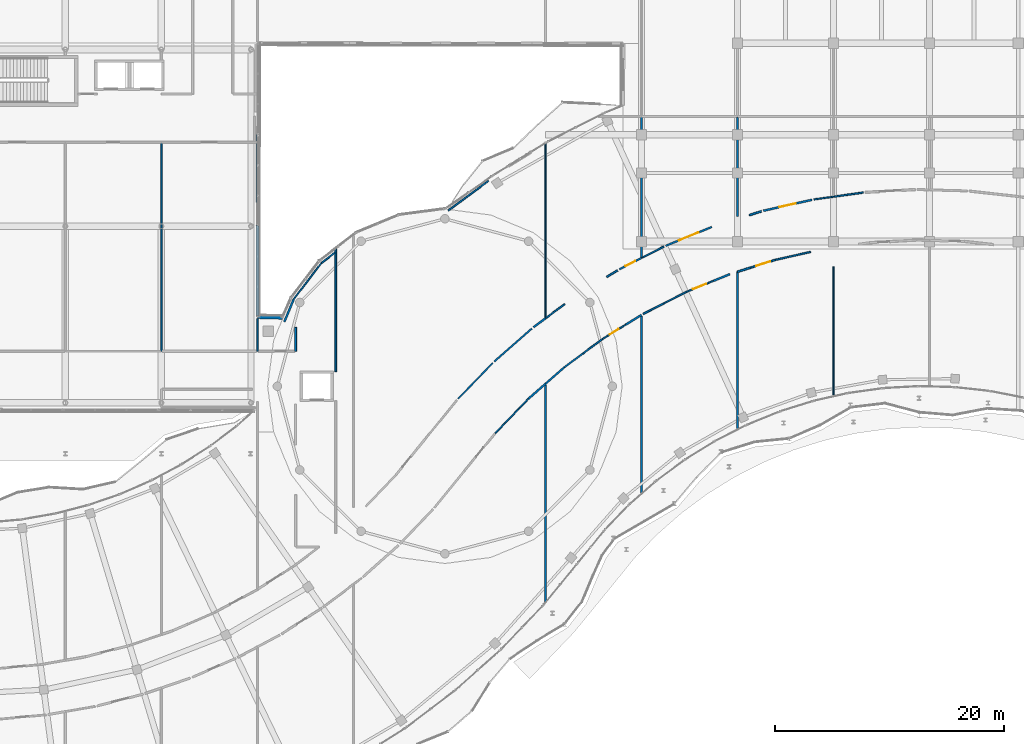
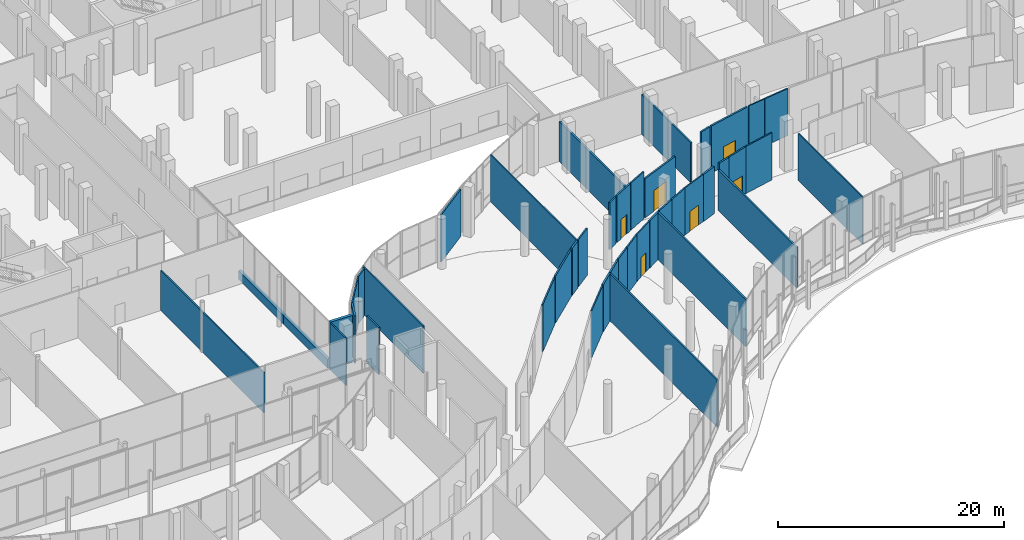
# One storey, part 136 of 158: 44 walls, 6 doors, 6 openings.
"""IFC4 building model written with IfcOpenShell, lengths in metres."""

from ifc_helpers import new_model, si_unit, direction, frame, frame_2d, origin, place, context, subcontext, project, spatial, rectangle, extrude, material, layer, layer_set, type_object, element, fill, save


model = new_model("IFC4")

# Units and contexts
model_context = context("Model", 3, precision=1e-05, world=origin(), true_north=direction((0.0, 1.0)))
body_context = subcontext(model_context, "Body", "Model", "MODEL_VIEW")
ifc_project = project(units=[si_unit("LENGTHUNIT", "METRE"), si_unit("AREAUNIT", "SQUARE_METRE"), si_unit("VOLUMEUNIT", "CUBIC_METRE"), si_unit("PLANEANGLEUNIT", "RADIAN"), si_unit("MASSUNIT", "GRAM", prefix="KILO")], contexts=[model_context])

# Site, building, storey
site_placement = place(None, origin())
site = spatial("IfcSite", under=ifc_project, at=site_placement, CompositionType="ELEMENT")
building_placement = place(site_placement, origin())
building = spatial("IfcBuilding", under=site, at=building_placement, Name="Selatvlak General Hospital", CompositionType="ELEMENT")
storey_placement = place(building_placement, origin())
storey = spatial("IfcBuildingStorey", under=building, at=storey_placement, Name="L00", CompositionType="ELEMENT", Elevation=0.0)

# Walls
ifc_material_1 = material(Name="Precast concrete C40/50 - white fair-faced", Category="concrete")
ifc_layer_1 = layer(ifc_material_1, 0.300048828125, Name="Precast concrete C40/50 - white fair-faced", Category="concrete")
ifc_layer_set_1 = layer_set([ifc_layer_1], Name="Precast concrete C40/50 - white fair-faced")
wall_type_1 = type_object("IfcWallType", Name="WALL-EW-01", PredefinedType="SOLIDWALL", material=ifc_layer_set_1)
wall_1_placement = place(storey_placement, frame((81.60009765625, 60.06005859375, 0.0), z_axis=(0.0, 0.0, 1.0), x_axis=(0.999631579517, -0.027142314411, 0.0)))
element("IfcWall", 1, at=wall_1_placement, inside=storey, type_object=wall_type_1, Name="L00 exterior wall 0188", PredefinedType="SOLIDWALL", context=body_context, shape_type="SweptSolid", body=[
    extrude(rectangle(XDim=2.212646484375, YDim=0.300048828125, at=frame_2d((1.1064453125, 0.0))), origin(), (0.0, 0.0, 1.0), 5.080078125),
])
ifc_material_2 = material(Name="Precast concrete C40/50 - white Bauhaus spandrel", Category="concrete")
ifc_layer_2 = layer(ifc_material_2, 0.280029296875, Name="Precast concrete C40/50 - white Bauhaus spandrel", Category="concrete")
ifc_layer_set_2 = layer_set([ifc_layer_2], Name="Precast concrete C40/50 - white Bauhaus spandrel")
wall_type_2 = type_object("IfcWallType", Name="WALL-EW-02", PredefinedType="SOLIDWALL", material=ifc_layer_set_2)
wall_2_placement = place(storey_placement, frame((81.639892578125, 76.01806640625, 0.0), z_axis=(0.0, 0.0, 1.0), x_axis=(-0.002479331223, -0.999996926454, 0.0)))
element("IfcWall", 2, at=wall_2_placement, inside=storey, type_object=wall_type_2, Name="L00 Bauhaus spandrel sill wall 0196", PredefinedType="SOLIDWALL", context=body_context, shape_type="SweptSolid", body=[
    extrude(rectangle(XDim=7.97607421875, YDim=0.280029296875, at=frame_2d((3.988037109375, 0.0))), origin(), (0.0, 0.0, 1.0), 0.93994140625),
])
wall_3_placement = place(storey_placement, frame((81.6201171875, 68.0380859375, 0.0), z_axis=(0.0, 0.0, 1.0), x_axis=(-0.002554110965, -0.999996738253, 0.0)))
element("IfcWall", 3, at=wall_3_placement, inside=storey, type_object=wall_type_2, Name="L00 Bauhaus spandrel sill wall 0197", PredefinedType="SOLIDWALL", context=body_context, shape_type="SweptSolid", body=[
    extrude(rectangle(XDim=7.838134765625, YDim=0.280029296875, at=frame_2d((3.9189453125, 0.0))), origin(), (0.0, 0.0, 1.0), 0.93994140625),
])
ifc_material_3 = material(Name="Acoustic gypsum stud partition")
ifc_layer_3 = layer(ifc_material_3, 0.179931640625, Name="Acoustic gypsum stud partition")
ifc_layer_set_3 = layer_set([ifc_layer_3], Name="Acoustic gypsum stud partition")
wall_type_3 = type_object("IfcWallType", Name="WALL-PT-01", PredefinedType="PARTITIONING", material=ifc_layer_set_3)
wall_4_placement = place(storey_placement, frame((84.782958984375, 61.62109375, 0.0), z_axis=(0.0, 0.0, 1.0), x_axis=(-0.382589305367, -0.923918515573, 0.0)))
element("IfcWall", 4, at=wall_4_placement, inside=storey, type_object=wall_type_3, Name="L00 clinical partition PT-L00-0510", PredefinedType="PARTITIONING", context=body_context, shape_type="SweptSolid", body=[
    extrude(rectangle(XDim=2.148681640625, YDim=0.179931640625, at=frame_2d((1.07421875, 0.0))), origin(), (0.0, 0.0, 1.0), 5.080078125),
])
wall_5_placement = place(storey_placement, frame((105.31005859375, 52.906982421875, 0.0), z_axis=(0.0, 0.0, 1.0), x_axis=(0.752034473467, 0.659123774959, 0.0)))
element("IfcWall", 5, at=wall_5_placement, inside=storey, type_object=wall_type_3, Name="L00 clinical partition PT-L00-0520", PredefinedType="PARTITIONING", context=body_context, shape_type="SweptSolid", body=[
    extrude(rectangle(XDim=1.981201171875, YDim=0.179931640625, at=frame_2d((0.99072265625, 0.0))), origin(), (0.0, 0.0, 1.0), 5.080078125),
])
wall_6_placement = place(storey_placement, frame((106.800048828125, 59.93701171875, 0.0), z_axis=(0.0, 0.0, 1.0), x_axis=(-0.803804504583, -0.594893535359, 0.0)))
element("IfcWall", 6, at=wall_6_placement, inside=storey, type_object=wall_type_3, Name="L00 clinical partition PT-L00-0530", PredefinedType="PARTITIONING", context=body_context, shape_type="SweptSolid", body=[
    extrude(rectangle(XDim=1.311279296875, YDim=0.179931640625, at=frame_2d((0.65576171875, 0.0))), origin(), (0.0, 0.0, 1.0), 5.080078125),
])
wall_7_placement = place(storey_placement, frame((113.799072265625, 59.373046875, 0.0), z_axis=(0.0, 0.0, 1.0), x_axis=(0.850603007896, 0.525808447021, 0.0)))
element("IfcWall", 7, at=wall_7_placement, inside=storey, type_object=wall_type_3, Name="L00 clinical partition PT-L00-0535", PredefinedType="PARTITIONING", context=body_context, shape_type="SweptSolid", body=[
    extrude(rectangle(XDim=1.64697265625, YDim=0.179931640625, at=frame_2d((0.823486328125, 0.0))), origin(), (0.0, 0.0, 1.0), 5.080078125),
])
wall_8_placement = place(storey_placement, frame((115.199951171875, 77.5439453125, 0.0), z_axis=(0.0, 0.0, 1.0), x_axis=(0.0, -1.0, 0.0)))
element("IfcWall", 8, at=wall_8_placement, inside=storey, type_object=wall_type_3, Name="L00 clinical partition PT-L00-0540", PredefinedType="PARTITIONING", context=body_context, shape_type="SweptSolid", body=[
    extrude(rectangle(XDim=12.328857421875, YDim=0.179931640625, at=frame_2d((6.16455078125, 0.0))), origin(), (0.0, 0.0, 1.0), 4.330078125),
])
wall_9_placement = place(storey_placement, frame((121.509033203125, 63.221923828125, 0.0), z_axis=(0.0, 0.0, 1.0), x_axis=(0.925811472845, 0.37798560389, 0.0)))
element("IfcWall", 9, at=wall_9_placement, inside=storey, type_object=wall_type_3, Name="L00 clinical partition PT-L00-0545", PredefinedType="PARTITIONING", context=body_context, shape_type="SweptSolid", body=[
    extrude(rectangle(XDim=1.54248046875, YDim=0.179931640625, at=frame_2d((0.771240234375, 0.0))), origin(), (0.0, 0.0, 1.0), 5.080078125),
])

# Wall, opening, door
wall_10_placement = place(storey_placement, frame((130.10791015625, 70.305908203125, 0.0), z_axis=(0.0, 0.0, 1.0), x_axis=(-0.975583344842, -0.219629545521, 0.0)))
wall_10 = element("IfcWall", 10, at=wall_10_placement, inside=storey, type_object=wall_type_3, Name="L00 clinical partition PT-L00-0555", PredefinedType="PARTITIONING", context=body_context, shape_type="SweptSolid", body=[
    extrude(rectangle(XDim=4.3564453125, YDim=0.179931640625, at=frame_2d((2.17822265625, 0.0))), origin(), (0.0, 0.0, 1.0), 5.080078125),
])
opening_1_placement = place(wall_10_placement, frame((1.452880859375, 0.0, 0.0)))
opening_1 = element("IfcOpeningElement", 11, at=opening_1_placement, cuts=wall_10, Name="Opening D-12", PredefinedType="OPENING", context=body_context, shape_type="SweptSolid", body=[
    extrude(rectangle(XDim=1.449951171875, YDim=2.14990234375, at=frame_2d((0.72509765625, 1.074951171875))), frame((0.0, 0.099853515625, 0.0), z_axis=(0.0, -1.0, 0.0), x_axis=(1.0, 0.0, 0.0)), (0.0, 0.0, 1.0), 0.199951171875),
])
ifc_material_4 = material(Name="Isolation anteroom door")
door_type_1 = type_object("IfcDoorType", Name="DOOR-D-12", OperationType="NOTDEFINED", PredefinedType="DOOR", material=ifc_material_4)
door_1_placement = place(opening_1_placement, origin())
door_1 = element("IfcDoor", 12, at=door_1_placement, inside=storey, type_object=door_type_1, Name="L00 Nuclear Medicine Fluoroscopy Room 31 door", OperationType="SINGLE_SWING_RIGHT", OverallHeight=2.14990234375, OverallWidth=1.449951171875, PredefinedType="DOOR", context=body_context, shape_type="SweptSolid", body=[
    extrude(rectangle(XDim=1.449951171875, YDim=2.14990234375, at=frame_2d((0.72509765625, 1.074951171875))), frame((0.0, 0.02490234375, 0.0), z_axis=(0.0, -1.0, 0.0), x_axis=(1.0, 0.0, 0.0)), (0.0, 0.0, 1.0), 0.050048828125),
])
fill(opening_1, door_1)

# Walls
ifc_layer_4 = layer(ifc_material_3, 0.1650390625, Name="Acoustic gypsum stud partition")
ifc_layer_set_4 = layer_set([ifc_layer_4], Name="Acoustic gypsum stud partition")
wall_type_4 = type_object("IfcWallType", Name="WALL-PT-02", PredefinedType="PARTITIONING", material=ifc_layer_set_4)
wall_11_placement = place(storey_placement, frame((84.93994140625, 59.14892578125, 0.0), z_axis=(0.0, 0.0, 1.0), x_axis=(0.0, -1.0, 0.0)))
element("IfcWall", 13, at=wall_11_placement, inside=storey, type_object=wall_type_4, Name="L00 clinical partition PT-L00-0511", PredefinedType="PARTITIONING", context=body_context, shape_type="SweptSolid", body=[
    extrude(rectangle(XDim=2.0888671875, YDim=0.1650390625, at=frame_2d((1.04443359375, 0.0))), origin(), (0.0, 0.0, 1.0), 5.080078125),
])
wall_12_placement = place(storey_placement, frame((106.800048828125, 54.09912109375, 0.0), z_axis=(0.0, 0.0, 1.0), x_axis=(0.0, -1.0, 0.0)))
element("IfcWall", 14, at=wall_12_placement, inside=storey, type_object=wall_type_4, Name="L00 clinical partition PT-L00-0521", PredefinedType="PARTITIONING", context=body_context, shape_type="SweptSolid", body=[
    extrude(rectangle(XDim=19.01318359375, YDim=0.1650390625, at=frame_2d((9.506591796875, 0.0))), origin(), (0.0, 0.0, 1.0), 5.080078125),
])
wall_13_placement = place(storey_placement, frame((106.800048828125, 54.212890625, 0.0), z_axis=(0.0, 0.0, 1.0), x_axis=(0.751872447181, 0.659308594795, 0.0)))
element("IfcWall", 15, at=wall_13_placement, inside=storey, type_object=wall_type_4, Name="L00 clinical partition PT-L00-0531", PredefinedType="PARTITIONING", context=body_context, shape_type="SweptSolid", body=[
    extrude(rectangle(XDim=2.19189453125, YDim=0.1650390625, at=frame_2d((1.095947265625, 0.0))), origin(), (0.0, 0.0, 1.0), 5.080078125),
])
wall_14_placement = place(storey_placement, frame((115.199951171875, 60.137939453125, 0.0), z_axis=(0.0, 0.0, 1.0), x_axis=(0.0, -1.0, 0.0)))
element("IfcWall", 16, at=wall_14_placement, inside=storey, type_object=wall_type_4, Name="L00 clinical partition PT-L00-0536", PredefinedType="PARTITIONING", context=body_context, shape_type="SweptSolid", body=[
    extrude(rectangle(XDim=15.537841796875, YDim=0.1650390625, at=frame_2d((7.76904296875, 0.0))), origin(), (0.0, 0.0, 1.0), 5.080078125),
])

# Wall, opening, door
wall_15_placement = place(storey_placement, frame((115.199951171875, 65.215087890625, 0.0), z_axis=(0.0, 0.0, 1.0), x_axis=(-0.891321133159, -0.45337251525, 0.0)))
wall_15 = element("IfcWall", 17, at=wall_15_placement, inside=storey, type_object=wall_type_4, Name="L00 clinical partition PT-L00-0541", PredefinedType="PARTITIONING", context=body_context, shape_type="SweptSolid", body=[
    extrude(rectangle(XDim=2.16845703125, YDim=0.1650390625, at=frame_2d((1.084228515625, 0.0))), origin(), (0.0, 0.0, 1.0), 5.080078125),
])
opening_2_placement = place(wall_15_placement, frame((0.60888671875, 0.0, 0.0)))
opening_2 = element("IfcOpeningElement", 18, at=opening_2_placement, cuts=wall_15, Name="Opening D-02", PredefinedType="OPENING", context=body_context, shape_type="SweptSolid", body=[
    extrude(rectangle(XDim=0.949951171875, YDim=2.10009765625, at=frame_2d((0.47509765625, 1.050048828125))), frame((0.0, 0.092529296875, 0.0), z_axis=(0.0, -1.0, 0.0), x_axis=(1.0, 0.0, 0.0)), (0.0, 0.0, 1.0), 0.18505859375),
])
ifc_material_5 = material(Name="Moisture-resistant en-suite door")
door_type_2 = type_object("IfcDoorType", Name="DOOR-D-02", OperationType="NOTDEFINED", PredefinedType="DOOR", material=ifc_material_5)
door_2_placement = place(opening_2_placement, origin())
door_2 = element("IfcDoor", 19, at=door_2_placement, inside=storey, type_object=door_type_2, Name="L00 Nuclear Medicine Fluoroscopy Room 27 door", OperationType="SINGLE_SWING_LEFT", OverallHeight=2.10009765625, OverallWidth=0.949951171875, PredefinedType="DOOR", context=body_context, shape_type="SweptSolid", body=[
    extrude(rectangle(XDim=0.949951171875, YDim=2.10009765625, at=frame_2d((0.47509765625, 1.050048828125))), frame((0.0, 0.02490234375, 0.0), z_axis=(0.0, -1.0, 0.0), x_axis=(1.0, 0.0, 0.0)), (0.0, 0.0, 1.0), 0.050048828125),
])
fill(opening_2, door_2)

# Wall
wall_16_placement = place(storey_placement, frame((123.60009765625, 64.013916015625, 0.0), z_axis=(0.0, 0.0, 1.0), x_axis=(0.0, -1.0, 0.0)))
element("IfcWall", 20, at=wall_16_placement, inside=storey, type_object=wall_type_4, Name="L00 clinical partition PT-L00-0546", PredefinedType="PARTITIONING", context=body_context, shape_type="SweptSolid", body=[
    extrude(rectangle(XDim=13.807861328125, YDim=0.1650390625, at=frame_2d((6.90380859375, 0.0))), origin(), (0.0, 0.0, 1.0), 4.3798828125),
])

# Wall, opening, door
wall_17_placement = place(storey_placement, frame((121.35009765625, 67.931884765625, 0.0), z_axis=(0.0, 0.0, 1.0), x_axis=(-0.925632511798, -0.378423642368, 0.0)))
wall_17 = element("IfcWall", 21, at=wall_17_placement, inside=storey, type_object=wall_type_4, Name="L00 clinical partition PT-L00-0547", PredefinedType="PARTITIONING", context=body_context, shape_type="SweptSolid", body=[
    extrude(rectangle(XDim=4.362548828125, YDim=0.1650390625, at=frame_2d((2.18115234375, 0.0))), origin(), (0.0, 0.0, 1.0), 4.22998046875),
])
opening_3_placement = place(wall_17_placement, frame((1.256103515625, 0.0, 0.0)))
opening_3 = element("IfcOpeningElement", 22, at=opening_3_placement, cuts=wall_17, Name="Opening D-20", PredefinedType="OPENING", context=body_context, shape_type="SweptSolid", body=[
    extrude(rectangle(XDim=1.85009765625, YDim=2.25, at=frame_2d((0.925048828125, 1.125))), frame((0.0, 0.092529296875, 0.0), z_axis=(0.0, -1.0, 0.0), x_axis=(1.0, 0.0, 0.0)), (0.0, 0.0, 1.0), 0.18505859375),
])
ifc_material_6 = material(Name="MRI RF-shielded sliding door")
door_type_3 = type_object("IfcDoorType", Name="DOOR-D-20", OperationType="DOUBLE_DOOR_SLIDING", PredefinedType="DOOR", material=ifc_material_6)
door_3_placement = place(opening_3_placement, origin())
door_3 = element("IfcDoor", 23, at=door_3_placement, inside=storey, type_object=door_type_3, Name="L00 MRI Diagnostic Imaging Suite 29 door", OperationType="DOUBLE_DOOR_SLIDING", OverallHeight=2.25, OverallWidth=1.85009765625, PredefinedType="DOOR", context=body_context, shape_type="SweptSolid", body=[
    extrude(rectangle(XDim=1.85009765625, YDim=2.25, at=frame_2d((0.925048828125, 1.125))), frame((0.0, 0.02490234375, 0.0), z_axis=(0.0, -1.0, 0.0), x_axis=(1.0, 0.0, 0.0)), (0.0, 0.0, 1.0), 0.050048828125),
])
fill(opening_3, door_3)

# Walls
wall_18_placement = place(storey_placement, frame((123.60009765625, 77.513916015625, 0.0), z_axis=(0.0, 0.0, 1.0), x_axis=(0.0, -1.0, 0.0)))
element("IfcWall", 24, at=wall_18_placement, inside=storey, type_object=wall_type_4, Name="L00 clinical partition PT-L00-0550", PredefinedType="PARTITIONING", context=body_context, shape_type="SweptSolid", body=[
    extrude(rectangle(XDim=8.65380859375, YDim=0.1650390625, at=frame_2d((4.326904296875, 0.0))), origin(), (0.0, 0.0, 1.0), 4.330078125),
])
wall_19_placement = place(storey_placement, frame((123.60009765625, 64.013916015625, 0.0), z_axis=(0.0, 0.0, 1.0), x_axis=(0.953921282359, 0.300056973027, 0.0)))
element("IfcWall", 25, at=wall_19_placement, inside=storey, type_object=wall_type_4, Name="L00 clinical partition PT-L00-0551", PredefinedType="PARTITIONING", context=body_context, shape_type="SweptSolid", body=[
    extrude(rectangle(XDim=1.239990234375, YDim=0.1650390625, at=frame_2d((0.6201171875, 0.0))), origin(), (0.0, 0.0, 1.0), 5.080078125),
])
wall_20_placement = place(storey_placement, frame((125.679931640625, 69.301025390625, 0.0), z_axis=(0.0, 0.0, 1.0), x_axis=(-0.95397189664, -0.299896016015, 0.0)))
element("IfcWall", 26, at=wall_20_placement, inside=storey, type_object=wall_type_4, Name="L00 clinical partition PT-L00-0556", PredefinedType="PARTITIONING", context=body_context, shape_type="SweptSolid", body=[
    extrude(rectangle(XDim=1.097412109375, YDim=0.1650390625, at=frame_2d((0.548828125, 0.0))), origin(), (0.0, 0.0, 1.0), 5.080078125),
])
ifc_layer_5 = layer(ifc_material_3, 0.14990234375, Name="Acoustic gypsum stud partition")
ifc_layer_set_5 = layer_set([ifc_layer_5], Name="Acoustic gypsum stud partition")
wall_type_5 = type_object("IfcWallType", Name="WALL-PT-03", PredefinedType="PARTITIONING", material=ifc_layer_set_5)
wall_21_placement = place(storey_placement, frame((88.4599609375, 55.280029296875, 0.0), z_axis=(0.0, 0.0, 1.0), x_axis=(0.0, 1.0, 0.0)))
element("IfcWall", 27, at=wall_21_placement, inside=storey, type_object=wall_type_5, Name="L00 clinical partition PT-L00-0507", PredefinedType="PARTITIONING", context=body_context, shape_type="SweptSolid", body=[
    extrude(rectangle(XDim=10.7548828125, YDim=0.14990234375, at=frame_2d((5.37744140625, 0.0))), origin(), (0.0, 0.0, 1.0), 5.080078125),
])
wall_22_placement = place(storey_placement, frame((105.60302734375, 59.0419921875, 0.0), z_axis=(0.0, 0.0, 1.0), x_axis=(-0.751954998193, -0.659214442115, 0.0)))
element("IfcWall", 28, at=wall_22_placement, inside=storey, type_object=wall_type_5, Name="L00 clinical partition PT-L00-0522", PredefinedType="PARTITIONING", context=body_context, shape_type="SweptSolid", body=[
    extrude(rectangle(XDim=4.356689453125, YDim=0.14990234375, at=frame_2d((2.17822265625, 0.0))), origin(), (0.0, 0.0, 1.0), 5.080078125),
])
wall_23_placement = place(storey_placement, frame((108.447998046875, 55.657958984375, 0.0), z_axis=(0.0, 0.0, 1.0), x_axis=(0.803918244259, 0.594739822567, 0.0)))
element("IfcWall", 29, at=wall_23_placement, inside=storey, type_object=wall_type_5, Name="L00 clinical partition PT-L00-0532", PredefinedType="PARTITIONING", context=body_context, shape_type="SweptSolid", body=[
    extrude(rectangle(XDim=1.987548828125, YDim=0.14990234375, at=frame_2d((0.99365234375, 0.0))), origin(), (0.0, 0.0, 1.0), 5.080078125),
])
wall_24_placement = place(storey_placement, frame((113.10693359375, 64.14208984375, 0.0), z_axis=(0.0, 0.0, 1.0), x_axis=(-0.850745635825, -0.525577647093, 0.0)))
element("IfcWall", 30, at=wall_24_placement, inside=storey, type_object=wall_type_5, Name="L00 clinical partition PT-L00-0537", PredefinedType="PARTITIONING", context=body_context, shape_type="SweptSolid", body=[
    extrude(rectangle(XDim=1.103759765625, YDim=0.14990234375, at=frame_2d((0.5517578125, 0.0))), origin(), (0.0, 0.0, 1.0), 5.080078125),
])
wall_25_placement = place(storey_placement, frame((115.35302734375, 60.333984375, 0.0), z_axis=(0.0, 0.0, 1.0), x_axis=(0.891251574009, 0.45350924117, 0.0)))
element("IfcWall", 31, at=wall_25_placement, inside=storey, type_object=wall_type_5, Name="L00 clinical partition PT-L00-0542", PredefinedType="PARTITIONING", context=body_context, shape_type="SweptSolid", body=[
    extrude(rectangle(XDim=2.028564453125, YDim=0.14990234375, at=frame_2d((1.01416015625, 0.0))), origin(), (0.0, 0.0, 1.0), 5.080078125),
])

# Wall, opening, door
wall_26_placement = place(storey_placement, frame((124.782958984375, 64.385986328125, 0.0), z_axis=(0.0, 0.0, 1.0), x_axis=(0.954007089009, 0.299784045809, 0.0)))
wall_26 = element("IfcWall", 32, at=wall_26_placement, inside=storey, type_object=wall_type_5, Name="L00 clinical partition PT-L00-0552", PredefinedType="PARTITIONING", context=body_context, shape_type="SweptSolid", body=[
    extrude(rectangle(XDim=2.238037109375, YDim=0.14990234375, at=frame_2d((1.119140625, 0.0))), origin(), (0.0, 0.0, 1.0), 5.080078125),
])
opening_4_placement = place(wall_26_placement, frame((0.468994140625, 0.0, 0.0)))
opening_4 = element("IfcOpeningElement", 33, at=opening_4_placement, cuts=wall_26, Name="Opening D-24", PredefinedType="OPENING", context=body_context, shape_type="SweptSolid", body=[
    extrude(rectangle(XDim=1.300048828125, YDim=2.14990234375, at=frame_2d((0.64990234375, 1.074951171875))), frame((0.0, 0.0849609375, 0.0), z_axis=(0.0, -1.0, 0.0), x_axis=(1.0, 0.0, 0.0)), (0.0, 0.0, 1.0), 0.169921875),
])
ifc_material_7 = material(Name="Oncology bay door")
door_type_4 = type_object("IfcDoorType", Name="DOOR-D-24", OperationType="NOTDEFINED", PredefinedType="DOOR", material=ifc_material_7)
door_4_placement = place(opening_4_placement, origin())
door_4 = element("IfcDoor", 34, at=door_4_placement, inside=storey, type_object=door_type_4, Name="L00 CT Scanner Diagnostic Room 30 door", OperationType="SINGLE_SWING_LEFT", OverallHeight=2.14990234375, OverallWidth=1.300048828125, PredefinedType="DOOR", context=body_context, shape_type="SweptSolid", body=[
    extrude(rectangle(XDim=1.300048828125, YDim=2.14990234375, at=frame_2d((0.64990234375, 1.074951171875))), frame((0.0, 0.02490234375, 0.0), z_axis=(0.0, -1.0, 0.0), x_axis=(1.0, 0.0, 0.0)), (0.0, 0.0, 1.0), 0.050048828125),
])
fill(opening_4, door_4)

# Walls
ifc_material_8 = material(Name="Moisture-resistant clinical partition")
ifc_layer_6 = layer(ifc_material_8, 0.135009765625, Name="Moisture-resistant clinical partition")
ifc_layer_set_6 = layer_set([ifc_layer_6], Name="Moisture-resistant clinical partition")
wall_type_6 = type_object("IfcWallType", Name="WALL-PT-04", PredefinedType="PARTITIONING", material=ifc_layer_set_6)
wall_27_placement = place(storey_placement, frame((73.199951171875, 75.26904296875, 0.0), z_axis=(0.0, 0.0, 1.0), x_axis=(0.0, -1.0, 0.0)))
element("IfcWall", 35, at=wall_27_placement, inside=storey, type_object=wall_type_6, Name="L00 clinical partition PT-L00-0478", PredefinedType="PARTITIONING", context=body_context, shape_type="SweptSolid", body=[
    extrude(rectangle(XDim=18.208984375, YDim=0.135009765625, at=frame_2d((9.1044921875, 0.0))), origin(), (0.0, 0.0, 1.0), 4.330078125),
])
wall_28_placement = place(storey_placement, frame((88.388916015625, 65.69189453125, 0.0), z_axis=(0.0, 0.0, 1.0), x_axis=(-0.793446700719, -0.60863974001, 0.0)))
element("IfcWall", 36, at=wall_28_placement, inside=storey, type_object=wall_type_6, Name="L00 clinical partition PT-L00-0508", PredefinedType="PARTITIONING", context=body_context, shape_type="SweptSolid", body=[
    extrude(rectangle(XDim=1.47705078125, YDim=0.135009765625, at=frame_2d((0.738525390625, 0.0))), origin(), (0.0, 0.0, 1.0), 5.080078125),
])
wall_29_placement = place(storey_placement, frame((102.194091796875, 56.04296875, 0.0), z_axis=(0.0, 0.0, 1.0), x_axis=(-0.694729493299, -0.719271111015, 0.0)))
element("IfcWall", 37, at=wall_29_placement, inside=storey, type_object=wall_type_6, Name="L00 clinical partition PT-L00-0523", PredefinedType="PARTITIONING", context=body_context, shape_type="SweptSolid", body=[
    extrude(rectangle(XDim=4.357177734375, YDim=0.135009765625, at=frame_2d((2.1787109375, 0.0))), origin(), (0.0, 0.0, 1.0), 5.080078125),
])
wall_30_placement = place(storey_placement, frame((98.299072265625, 69.366943359375, 0.0), z_axis=(0.0, 0.0, 1.0), x_axis=(0.803993993296, 0.594637417881, 0.0)))
element("IfcWall", 38, at=wall_30_placement, inside=storey, type_object=wall_type_6, Name="L00 clinical partition PT-L00-0528", PredefinedType="PARTITIONING", context=body_context, shape_type="SweptSolid", body=[
    extrude(rectangle(XDim=4.374267578125, YDim=0.135009765625, at=frame_2d((2.18701171875, 0.0))), origin(), (0.0, 0.0, 1.0), 5.080078125),
])
wall_31_placement = place(storey_placement, frame((110.0458984375, 56.840087890625, 0.0), z_axis=(0.0, 0.0, 1.0), x_axis=(0.803936963314, 0.594714518922, 0.0)))
element("IfcWall", 39, at=wall_31_placement, inside=storey, type_object=wall_type_6, Name="L00 clinical partition PT-L00-0533", PredefinedType="PARTITIONING", context=body_context, shape_type="SweptSolid", body=[
    extrude(rectangle(XDim=2.185546875, YDim=0.135009765625, at=frame_2d((1.0927734375, 0.0))), origin(), (0.0, 0.0, 1.0), 5.080078125),
])
wall_32_placement = place(storey_placement, frame((108.48388671875, 61.181884765625, 0.0), z_axis=(0.0, 0.0, 1.0), x_axis=(-0.804033278553, -0.594584297622, 0.0)))
element("IfcWall", 40, at=wall_32_placement, inside=storey, type_object=wall_type_6, Name="L00 clinical partition PT-L00-0538", PredefinedType="PARTITIONING", context=body_context, shape_type="SweptSolid", body=[
    extrude(rectangle(XDim=2.024658203125, YDim=0.135009765625, at=frame_2d((1.01220703125, 0.0))), origin(), (0.0, 0.0, 1.0), 5.080078125),
])
wall_33_placement = place(storey_placement, frame((117.160888671875, 61.25390625, 0.0), z_axis=(0.0, 0.0, 1.0), x_axis=(0.891311901711, 0.453390663632, 0.0)))
element("IfcWall", 41, at=wall_33_placement, inside=storey, type_object=wall_type_6, Name="L00 clinical partition PT-L00-0543", PredefinedType="PARTITIONING", context=body_context, shape_type="SweptSolid", body=[
    extrude(rectangle(XDim=2.146484375, YDim=0.135009765625, at=frame_2d((1.0732421875, 0.0))), origin(), (0.0, 0.0, 1.0), 5.080078125),
])
wall_34_placement = place(storey_placement, frame((117.15087890625, 66.2080078125, 0.0), z_axis=(0.0, 0.0, 1.0), x_axis=(-0.891254866421, -0.453502770753, 0.0)))
element("IfcWall", 42, at=wall_34_placement, inside=storey, type_object=wall_type_6, Name="L00 clinical partition PT-L00-0548", PredefinedType="PARTITIONING", context=body_context, shape_type="SweptSolid", body=[
    extrude(rectangle(XDim=2.092529296875, YDim=0.135009765625, at=frame_2d((1.04638671875, 0.0))), origin(), (0.0, 0.0, 1.0), 5.080078125),
])
wall_35_placement = place(storey_placement, frame((126.91796875, 65.056884765625, 0.0), z_axis=(0.0, 0.0, 1.0), x_axis=(0.975537780093, 0.219831843942, 0.0)))
element("IfcWall", 43, at=wall_35_placement, inside=storey, type_object=wall_type_6, Name="L00 clinical partition PT-L00-0553", PredefinedType="PARTITIONING", context=body_context, shape_type="SweptSolid", body=[
    extrude(rectangle(XDim=3.14404296875, YDim=0.135009765625, at=frame_2d((1.572021484375, 0.0))), origin(), (0.0, 0.0, 1.0), 5.080078125),
])
wall_36_placement = place(storey_placement, frame((134.60302734375, 70.94189453125, 0.0), z_axis=(0.0, 0.0, 1.0), x_axis=(-0.990367880246, -0.138461047873, 0.0)))
element("IfcWall", 44, at=wall_36_placement, inside=storey, type_object=wall_type_6, Name="L00 clinical partition PT-L00-0566", PredefinedType="PARTITIONING", context=body_context, shape_type="SweptSolid", body=[
    extrude(rectangle(XDim=2.563720703125, YDim=0.135009765625, at=frame_2d((1.28173828125, 0.0))), origin(), (0.0, 0.0, 1.0), 5.080078125),
])
ifc_layer_7 = layer(ifc_material_8, 0.1201171875, Name="Moisture-resistant clinical partition")
ifc_layer_set_7 = layer_set([ifc_layer_7], Name="Moisture-resistant clinical partition")
wall_type_7 = type_object("IfcWallType", Name="WALL-PT-05", PredefinedType="PARTITIONING", material=ifc_layer_set_7)
wall_37_placement = place(storey_placement, frame((81.60009765625, 59.9130859375, 0.0), z_axis=(0.0, 0.0, 1.0), x_axis=(0.0, -1.0, 0.0)))
element("IfcWall", 45, at=wall_37_placement, inside=storey, type_object=wall_type_7, Name="L00 clinical partition PT-L00-0494", PredefinedType="PARTITIONING", context=body_context, shape_type="SweptSolid", body=[
    extrude(rectangle(XDim=2.85302734375, YDim=0.1201171875, at=frame_2d((1.426513671875, 0.0))), origin(), (0.0, 0.0, 1.0), 5.080078125),
])
wall_38_placement = place(storey_placement, frame((87.2060546875, 64.781982421875, 0.0), z_axis=(0.0, 0.0, 1.0), x_axis=(-0.608806174349, -0.793319003979, 0.0)))
element("IfcWall", 46, at=wall_38_placement, inside=storey, type_object=wall_type_7, Name="L00 clinical partition PT-L00-0509", PredefinedType="PARTITIONING", context=body_context, shape_type="SweptSolid", body=[
    extrude(rectangle(XDim=3.966796875, YDim=0.1201171875, at=frame_2d((1.9833984375, 0.0))), origin(), (0.0, 0.0, 1.0), 5.080078125),
])
wall_39_placement = place(storey_placement, frame((102.409912109375, 49.905029296875, 0.0), z_axis=(0.0, 0.0, 1.0), x_axis=(0.694806380461, 0.719196839308, 0.0)))
element("IfcWall", 47, at=wall_39_placement, inside=storey, type_object=wall_type_7, Name="L00 clinical partition PT-L00-0519", PredefinedType="PARTITIONING", context=body_context, shape_type="SweptSolid", body=[
    extrude(rectangle(XDim=4.174072265625, YDim=0.1201171875, at=frame_2d((2.0869140625, 0.0))), origin(), (0.0, 0.0, 1.0), 5.080078125),
])
wall_40_placement = place(storey_placement, frame((106.800048828125, 75.2509765625, 0.0), z_axis=(0.0, 0.0, 1.0), x_axis=(0.0, -1.0, 0.0)))
element("IfcWall", 48, at=wall_40_placement, inside=storey, type_object=wall_type_7, Name="L00 clinical partition PT-L00-0529", PredefinedType="PARTITIONING", context=body_context, shape_type="SweptSolid", body=[
    extrude(rectangle(XDim=15.31396484375, YDim=0.1201171875, at=frame_2d((7.656982421875, 0.0))), origin(), (0.0, 0.0, 1.0), 5.080078125),
])

# Wall, opening, door
wall_41_placement = place(storey_placement, frame((111.802978515625, 58.139892578125, 0.0), z_axis=(0.0, 0.0, 1.0), x_axis=(0.850745998742, 0.525577059644, 0.0)))
wall_41 = element("IfcWall", 49, at=wall_41_placement, inside=storey, type_object=wall_type_7, Name="L00 clinical partition PT-L00-0534", PredefinedType="PARTITIONING", context=body_context, shape_type="SweptSolid", body=[
    extrude(rectangle(XDim=2.34619140625, YDim=0.1201171875, at=frame_2d((1.173095703125, 0.0))), origin(), (0.0, 0.0, 1.0), 5.080078125),
])
opening_5_placement = place(wall_41_placement, frame((0.722900390625, 0.0, 0.0)))
opening_5 = element("IfcOpeningElement", 50, at=opening_5_placement, cuts=wall_41, Name="Opening D-01", PredefinedType="OPENING", context=body_context, shape_type="SweptSolid", body=[
    extrude(rectangle(XDim=0.89990234375, YDim=2.10009765625, at=frame_2d((0.449951171875, 1.050048828125))), frame((0.0, 0.070068359375, 0.0), z_axis=(0.0, -1.0, 0.0), x_axis=(1.0, 0.0, 0.0)), (0.0, 0.0, 1.0), 0.14013671875),
])
ifc_material_9 = material(Name="Hardwood clinical room door", Category="wood")
door_type_5 = type_object("IfcDoorType", Name="DOOR-D-01", OperationType="NOTDEFINED", PredefinedType="DOOR", material=ifc_material_9)
door_5_placement = place(opening_5_placement, origin())
door_5 = element("IfcDoor", 51, at=door_5_placement, inside=storey, type_object=door_type_5, Name="L00 Main Concourse Hall and Registration Atrium 26 door", OperationType="SINGLE_SWING_RIGHT", OverallHeight=2.10009765625, OverallWidth=0.89990234375, PredefinedType="DOOR", context=body_context, shape_type="SweptSolid", body=[
    extrude(rectangle(XDim=0.89990234375, YDim=2.10009765625, at=frame_2d((0.449951171875, 1.050048828125))), frame((0.0, 0.02490234375, 0.0), z_axis=(0.0, -1.0, 0.0), x_axis=(1.0, 0.0, 0.0)), (0.0, 0.0, 1.0), 0.050048828125),
])
fill(opening_5, door_5)

wall_42_placement = place(storey_placement, frame((119.073974609375, 62.22705078125, 0.0), z_axis=(0.0, 0.0, 1.0), x_axis=(0.925718360253, 0.37821358713, 0.0)))
wall_42 = element("IfcWall", 52, at=wall_42_placement, inside=storey, type_object=wall_type_7, Name="L00 clinical partition PT-L00-0544", PredefinedType="PARTITIONING", context=body_context, shape_type="SweptSolid", body=[
    extrude(rectangle(XDim=2.63037109375, YDim=0.1201171875, at=frame_2d((1.315185546875, 0.0))), origin(), (0.0, 0.0, 1.0), 5.080078125),
])
opening_6_placement = place(wall_42_placement, frame((0.68994140625, 0.0, 0.0)))
opening_6 = element("IfcOpeningElement", 53, at=opening_6_placement, cuts=wall_42, Name="Opening D-08", PredefinedType="OPENING", context=body_context, shape_type="SweptSolid", body=[
    extrude(rectangle(XDim=1.25, YDim=2.14990234375, at=frame_2d((0.625, 1.074951171875))), frame((0.0, 0.070068359375, 0.0), z_axis=(0.0, -1.0, 0.0), x_axis=(1.0, 0.0, 0.0)), (0.0, 0.0, 1.0), 0.14013671875),
])
ifc_material_10 = material(Name="Diagnostic treatment door")
door_type_6 = type_object("IfcDoorType", Name="DOOR-D-08", OperationType="NOTDEFINED", PredefinedType="DOOR", material=ifc_material_10)
door_6_placement = place(opening_6_placement, origin())
door_6 = element("IfcDoor", 54, at=door_6_placement, inside=storey, type_object=door_type_6, Name="L00 Outpatient Specialist Consultation Clinic 28 door", OperationType="SINGLE_SWING_RIGHT", OverallHeight=2.14990234375, OverallWidth=1.25, PredefinedType="DOOR", context=body_context, shape_type="SweptSolid", body=[
    extrude(rectangle(XDim=1.25, YDim=2.14990234375, at=frame_2d((0.625, 1.074951171875))), frame((0.0, 0.02490234375, 0.0), z_axis=(0.0, -1.0, 0.0), x_axis=(1.0, 0.0, 0.0)), (0.0, 0.0, 1.0), 0.050048828125),
])
fill(opening_6, door_6)

# Walls
wall_43_placement = place(storey_placement, frame((132.0, 64.43994140625, 0.0), z_axis=(0.0, 0.0, 1.0), x_axis=(0.0, -1.0, 0.0)))
element("IfcWall", 55, at=wall_43_placement, inside=storey, type_object=wall_type_7, Name="L00 clinical partition PT-L00-0554", PredefinedType="PARTITIONING", context=body_context, shape_type="SweptSolid", body=[
    extrude(rectangle(XDim=11.323974609375, YDim=0.1201171875, at=frame_2d((5.662109375, 0.0))), origin(), (0.0, 0.0, 1.0), 5.080078125),
])
wall_44_placement = place(storey_placement, frame((132.0, 70.577880859375, 0.0), z_axis=(0.0, 0.0, 1.0), x_axis=(-0.990423758249, -0.13806078044, 0.0)))
element("IfcWall", 56, at=wall_44_placement, inside=storey, type_object=wall_type_7, Name="L00 clinical partition PT-L00-0559", PredefinedType="PARTITIONING", context=body_context, shape_type="SweptSolid", body=[
    extrude(rectangle(XDim=1.7294921875, YDim=0.1201171875, at=frame_2d((0.86474609375, 0.0))), origin(), (0.0, 0.0, 1.0), 5.080078125),
])

save(model, "model.ifc")
